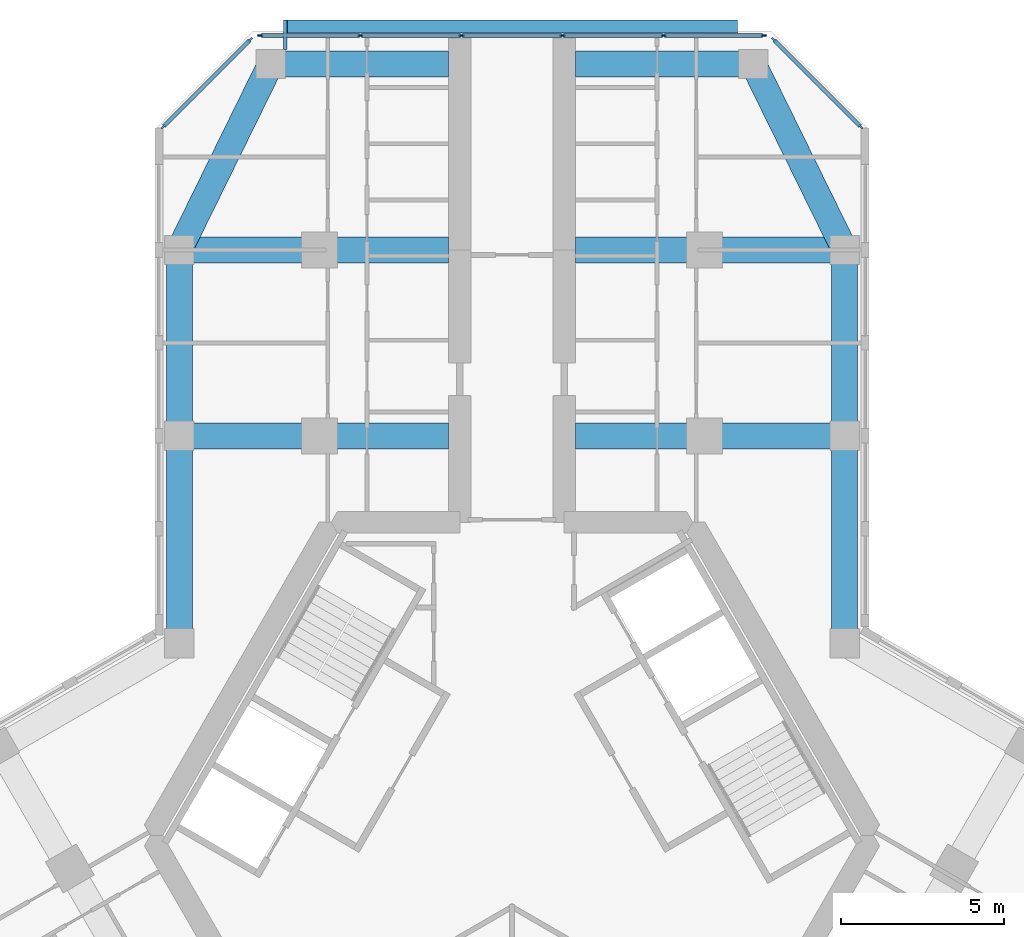
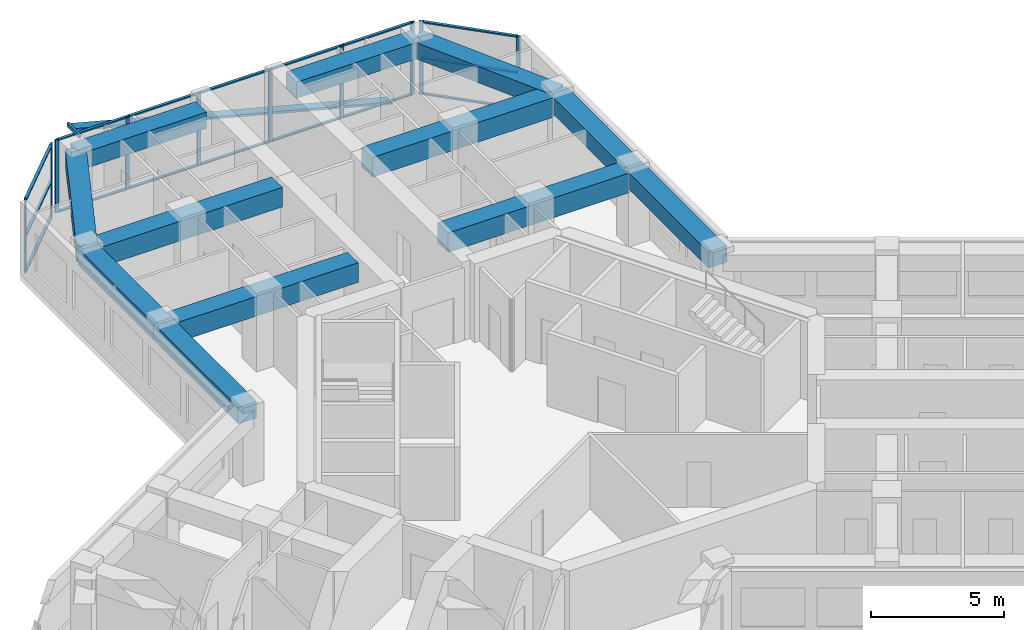
# One storey, part 6 of 16: 28 members, 12 beams, 3 elements without a shape of their own.
"""IFC4 building model written with IfcOpenShell, lengths in metres."""

from ifc_helpers import new_model, si_unit, direction, frame, origin, origin_2d, place, context, subcontext, project, spatial, rectangle, hollow_rectangle, extrude, material, material_profile, profile_set, type_object, element, aggregate, save


model = new_model("IFC4")

# Units and contexts
model_context = context("Model", 3, precision=1e-05, world=origin(), true_north=direction((0.0, 1.0)))
body_context = subcontext(model_context, "Body", "Model", "MODEL_VIEW")
ifc_project = project(units=[si_unit("LENGTHUNIT", "METRE"), si_unit("AREAUNIT", "SQUARE_METRE"), si_unit("VOLUMEUNIT", "CUBIC_METRE"), si_unit("PLANEANGLEUNIT", "RADIAN"), si_unit("MASSUNIT", "GRAM", prefix="KILO")], contexts=[model_context])

# Site, building, storey
site_placement = place(None, origin())
site = spatial("IfcSite", under=ifc_project, at=site_placement, CompositionType="ELEMENT")
building_placement = place(site_placement, origin())
building = spatial("IfcBuilding", under=site, at=building_placement, Name="Kosmar Iwan School Tower", CompositionType="ELEMENT")
storey_placement = place(building_placement, frame((0.0, 0.0, 208.199951171875)))
storey = spatial("IfcBuildingStorey", under=building, at=storey_placement, Name="L52", CompositionType="ELEMENT", Elevation=208.199951171875)

# Members
ifc_material_1 = material(Name="Black anodised aluminium", Category="aluminium")
ifc_material_profile_1 = material_profile(ifc_material_1, rectangle(XDim=0.10009765625, YDim=0.39990234375, at=origin_2d()), Name="FIN 100x400")
ifc_profile_set_1 = profile_set([ifc_material_profile_1], Name="Black anodised aluminium")
member_type_1 = type_object("IfcMemberType", Name="Diagonal fin 100x400", PredefinedType="USERDEFINED", material=ifc_profile_set_1)
member_1_placement = place(storey_placement, frame((6.898193359375, 24.800048828125, -0.14990234375), z_axis=(-0.967603633438, 0.0, 0.252474174041), x_axis=(0.252474174041, 0.0, 0.967603633438)))
element("IfcMember", 1, at=member_1_placement, inside=storey, type_object=member_type_1, Name="Diagonal fin L52-F06", ObjectType="FIN", PredefinedType="USERDEFINED", context=body_context, shape_type="SweptSolid", body=[
    extrude(rectangle(XDim=0.10009765625, YDim=0.39990234375, at=origin_2d()), origin(), (0.0, 0.0, 1.0), 14.25830078125),
])
ifc_material_2 = material(Name="Steel S355", Category="steel")
ifc_material_profile_2 = material_profile(ifc_material_2, hollow_rectangle(XDim=0.10009765625, YDim=0.199951171875, WallThickness=0.008056640625, at=origin_2d()), Name="RHS 200x100x8")
ifc_profile_set_2 = profile_set([ifc_material_profile_2], Name="Steel S355")
member_type_2 = type_object("IfcMemberType", Name="Fin bracket RHS 200x100", PredefinedType="USERDEFINED", material=ifc_profile_set_2)
member_2_placement = place(storey_placement, frame((-6.949951171875, 24.10009765625, 3.47509765625), z_axis=(0.0, 1.0, 0.0), x_axis=(-1.0, 0.0, 0.0)))
element("IfcMember", 2, at=member_2_placement, inside=storey, type_object=member_type_2, Name="Fin bracket L53", ObjectType="FIN BRACKET", PredefinedType="USERDEFINED", context=body_context, shape_type="SweptSolid", body=[
    extrude(hollow_rectangle(XDim=0.10009765625, YDim=0.199951171875, WallThickness=0.008056640625, at=origin_2d()), origin(), (0.0, 0.0, 1.0), 0.89990234375),
])

# Curtain wall, members
ifc_material_3 = material(Name="Dark glass in black aluminium frame", Category="aluminium")
curtain_wall_type_1 = type_object("IfcCurtainWallType", Name="Chamfer curtain wall dark glass", PredefinedType="USERDEFINED", material=ifc_material_3)
curtain_wall_1_placement = place(storey_placement, origin())
curtain_wall_1 = element("IfcCurtainWall", 3, at=curtain_wall_1_placement, inside=storey, type_object=curtain_wall_type_1, Name="Curtain wall L52-F05", ObjectType="FACETED CURTAIN WALL", PredefinedType="USERDEFINED")
ifc_material_4 = material(Name="Black anodised aluminium", Category="aluminium")
ifc_material_profile_3 = material_profile(ifc_material_4, rectangle(XDim=0.06005859375, YDim=0.159912109375, at=origin_2d()), Name="MULLION 60x160")
ifc_profile_set_3 = profile_set([ifc_material_profile_3], Name="Black anodised aluminium")
member_type_3 = type_object("IfcMemberType", Name="Mullion 60x160", PredefinedType="MULLION", material=ifc_profile_set_3)
member_3_placement = place(storey_placement, frame((10.69775390625, 21.7255859375, 0.0), z_axis=(0.0, 0.0, 1.0), x_axis=(-0.707106781187, -0.707106781187, 0.0)))
member_3 = element("IfcMember", 4, at=member_3_placement, type_object=member_type_3, Name="CW2 mullion 1", PredefinedType="MULLION", context=body_context, shape_type="SweptSolid", body=[
    extrude(rectangle(XDim=0.06005859375, YDim=0.159912109375, at=origin_2d()), origin(), (0.0, 0.0, 1.0), 3.35009765625),
])
member_4_placement = place(storey_placement, frame((8.025390625, 24.397705078125, 0.0), z_axis=(0.0, 0.0, 1.0), x_axis=(-0.707106781187, -0.707106781187, 0.0)))
member_4 = element("IfcMember", 5, at=member_4_placement, type_object=member_type_3, Name="CW2 mullion 2", PredefinedType="MULLION", context=body_context, shape_type="SweptSolid", body=[
    extrude(rectangle(XDim=0.06005859375, YDim=0.159912109375, at=origin_2d()), origin(), (0.0, 0.0, 1.0), 3.35009765625),
])

ifc_material_5 = material(Name="Dark glass in black aluminium frame", Category="aluminium")
curtain_wall_type_2 = type_object("IfcCurtainWallType", Name="Tower curtain wall dark glass", PredefinedType="USERDEFINED", material=ifc_material_5)
curtain_wall_2_placement = place(storey_placement, origin())
curtain_wall_2 = element("IfcCurtainWall", 6, at=curtain_wall_2_placement, inside=storey, type_object=curtain_wall_type_2, Name="Curtain wall L52-F06", ObjectType="UNITISED CURTAIN WALL", PredefinedType="USERDEFINED")
member_5_placement = place(storey_placement, frame((7.71826171875, 24.52490234375, 0.0), z_axis=(0.0, 0.0, 1.0), x_axis=(0.0, -1.0, 0.0)))
member_5 = element("IfcMember", 7, at=member_5_placement, type_object=member_type_3, Name="CW1 mullion 1", PredefinedType="MULLION", context=body_context, shape_type="SweptSolid", body=[
    extrude(rectangle(XDim=0.06005859375, YDim=0.159912109375, at=origin_2d()), origin(), (0.0, 0.0, 1.0), 3.35009765625),
])
member_6_placement = place(storey_placement, frame((4.64892578125, 24.52490234375, 0.0), z_axis=(0.0, 0.0, 1.0), x_axis=(0.0, -1.0, 0.0)))
member_6 = element("IfcMember", 8, at=member_6_placement, type_object=member_type_3, Name="CW1 mullion 2", PredefinedType="MULLION", context=body_context, shape_type="SweptSolid", body=[
    extrude(rectangle(XDim=0.06005859375, YDim=0.159912109375, at=origin_2d()), origin(), (0.0, 0.0, 1.0), 3.35009765625),
])
member_7_placement = place(storey_placement, frame((1.549560546875, 24.52490234375, 0.0), z_axis=(0.0, 0.0, 1.0), x_axis=(0.0, -1.0, 0.0)))
member_7 = element("IfcMember", 9, at=member_7_placement, type_object=member_type_3, Name="CW1 mullion 3", PredefinedType="MULLION", context=body_context, shape_type="SweptSolid", body=[
    extrude(rectangle(XDim=0.06005859375, YDim=0.159912109375, at=origin_2d()), origin(), (0.0, 0.0, 1.0), 3.35009765625),
])
member_8_placement = place(storey_placement, frame((-1.549560546875, 24.52490234375, 0.0), z_axis=(0.0, 0.0, 1.0), x_axis=(0.0, -1.0, 0.0)))
member_8 = element("IfcMember", 10, at=member_8_placement, type_object=member_type_3, Name="CW1 mullion 4", PredefinedType="MULLION", context=body_context, shape_type="SweptSolid", body=[
    extrude(rectangle(XDim=0.06005859375, YDim=0.159912109375, at=origin_2d()), origin(), (0.0, 0.0, 1.0), 3.35009765625),
])
member_9_placement = place(storey_placement, frame((-4.64892578125, 24.52490234375, 0.0), z_axis=(0.0, 0.0, 1.0), x_axis=(0.0, -1.0, 0.0)))
member_9 = element("IfcMember", 11, at=member_9_placement, type_object=member_type_3, Name="CW1 mullion 5", PredefinedType="MULLION", context=body_context, shape_type="SweptSolid", body=[
    extrude(rectangle(XDim=0.06005859375, YDim=0.159912109375, at=origin_2d()), origin(), (0.0, 0.0, 1.0), 3.35009765625),
])
member_10_placement = place(storey_placement, frame((-7.71826171875, 24.52490234375, 0.0), z_axis=(0.0, 0.0, 1.0), x_axis=(0.0, -1.0, 0.0)))
member_10 = element("IfcMember", 12, at=member_10_placement, type_object=member_type_3, Name="CW1 mullion 6", PredefinedType="MULLION", context=body_context, shape_type="SweptSolid", body=[
    extrude(rectangle(XDim=0.06005859375, YDim=0.159912109375, at=origin_2d()), origin(), (0.0, 0.0, 1.0), 3.35009765625),
])

curtain_wall_3_placement = place(storey_placement, origin())
curtain_wall_3 = element("IfcCurtainWall", 13, at=curtain_wall_3_placement, inside=storey, type_object=curtain_wall_type_1, Name="Curtain wall L52-F07", ObjectType="FACETED CURTAIN WALL", PredefinedType="USERDEFINED")
member_11_placement = place(storey_placement, frame((-8.025390625, 24.397705078125, 0.0), z_axis=(0.0, 0.0, 1.0), x_axis=(0.707106781187, -0.707106781187, 0.0)))
member_11 = element("IfcMember", 14, at=member_11_placement, type_object=member_type_3, Name="CW2 mullion 1", PredefinedType="MULLION", context=body_context, shape_type="SweptSolid", body=[
    extrude(rectangle(XDim=0.06005859375, YDim=0.159912109375, at=origin_2d()), origin(), (0.0, 0.0, 1.0), 3.35009765625),
])
member_12_placement = place(storey_placement, frame((-10.69775390625, 21.7255859375, 0.0), z_axis=(0.0, 0.0, 1.0), x_axis=(0.707106781187, -0.707106781187, 0.0)))
member_12 = element("IfcMember", 15, at=member_12_placement, type_object=member_type_3, Name="CW2 mullion 2", PredefinedType="MULLION", context=body_context, shape_type="SweptSolid", body=[
    extrude(rectangle(XDim=0.06005859375, YDim=0.159912109375, at=origin_2d()), origin(), (0.0, 0.0, 1.0), 3.35009765625),
])

# Beams
ifc_material_6 = material(Name="Concrete C50/60", Category="concrete")
ifc_material_profile_4 = material_profile(ifc_material_6, rectangle(XDim=0.800048828125, YDim=0.75, at=origin_2d()), Name="RC 800x750")
ifc_profile_set_4 = profile_set([ifc_material_profile_4], Name="Concrete C50/60")
beam_type_1 = type_object("IfcBeamType", Name="RC edge beam 800x750", PredefinedType="BEAM", material=ifc_profile_set_4)
beam_1_placement = place(storey_placement, frame((-10.199951171875, 5.888916015625, 2.97509765625), z_axis=(0.0, 1.0, 0.0), x_axis=(-1.0, 0.0, 0.0)))
element("IfcBeam", 16, at=beam_1_placement, inside=storey, type_object=beam_type_1, Name="Edge beam AL1", PredefinedType="BEAM", context=body_context, shape_type="SweptSolid", body=[
    extrude(rectangle(XDim=0.800048828125, YDim=0.75, at=origin_2d()), origin(), (0.0, 0.0, 1.0), 6.361083984375),
])
beam_2_placement = place(storey_placement, frame((-10.199951171875, 12.25, 2.97509765625), z_axis=(0.0, 1.0, 0.0), x_axis=(-1.0, 0.0, 0.0)))
element("IfcBeam", 17, at=beam_2_placement, inside=storey, type_object=beam_type_1, Name="Edge beam AL2", PredefinedType="BEAM", context=body_context, shape_type="SweptSolid", body=[
    extrude(rectangle(XDim=0.800048828125, YDim=0.75, at=origin_2d()), origin(), (0.0, 0.0, 1.0), 5.699951171875),
])
beam_3_placement = place(storey_placement, frame((10.199951171875, 5.888916015625, 2.97509765625), z_axis=(0.0, 1.0, 0.0), x_axis=(-1.0, 0.0, 0.0)))
element("IfcBeam", 18, at=beam_3_placement, inside=storey, type_object=beam_type_1, Name="Edge beam AR1", PredefinedType="BEAM", context=body_context, shape_type="SweptSolid", body=[
    extrude(rectangle(XDim=0.800048828125, YDim=0.75, at=origin_2d()), origin(), (0.0, 0.0, 1.0), 6.361083984375),
])
beam_4_placement = place(storey_placement, frame((10.199951171875, 12.25, 2.97509765625), z_axis=(0.0, 1.0, 0.0), x_axis=(-1.0, 0.0, 0.0)))
element("IfcBeam", 19, at=beam_4_placement, inside=storey, type_object=beam_type_1, Name="Edge beam AR2", PredefinedType="BEAM", context=body_context, shape_type="SweptSolid", body=[
    extrude(rectangle(XDim=0.800048828125, YDim=0.75, at=origin_2d()), origin(), (0.0, 0.0, 1.0), 5.699951171875),
])
ifc_material_7 = material(Name="Concrete C50/60", Category="concrete")
ifc_material_profile_5 = material_profile(ifc_material_7, rectangle(XDim=0.800048828125, YDim=0.75, at=origin_2d()), Name="RC 800x750")
ifc_profile_set_5 = profile_set([ifc_material_profile_5], Name="Concrete C50/60")
beam_type_2 = type_object("IfcBeamType", Name="RC tip beam 800x750", PredefinedType="BEAM", material=ifc_profile_set_5)
beam_5_placement = place(storey_placement, frame((-10.199951171875, 17.949951171875, 2.97509765625), z_axis=(0.440913116462, 0.897549788999, 0.0), x_axis=(-0.897549788999, 0.440913116462, 0.0)))
element("IfcBeam", 20, at=beam_5_placement, inside=storey, type_object=beam_type_2, Name="Tip beam AL", PredefinedType="BEAM", context=body_context, shape_type="SweptSolid", body=[
    extrude(rectangle(XDim=0.800048828125, YDim=0.75, at=origin_2d()), origin(), (0.0, 0.0, 1.0), 6.3505859375),
])
beam_6_placement = place(storey_placement, frame((-7.39990234375, 23.64990234375, 2.97509765625), z_axis=(1.0, 0.0, 0.0), x_axis=(0.0, 1.0, 0.0)))
element("IfcBeam", 21, at=beam_6_placement, inside=storey, type_object=beam_type_2, Name="Tip beam AL to corridor wall", PredefinedType="BEAM", context=body_context, shape_type="SweptSolid", body=[
    extrude(rectangle(XDim=0.800048828125, YDim=0.75, at=origin_2d()), origin(), (0.0, 0.0, 1.0), 5.449951171875),
])
beam_7_placement = place(storey_placement, frame((10.199951171875, 17.949951171875, 2.97509765625), z_axis=(-0.440913116462, 0.897549788999, 0.0), x_axis=(-0.897549788999, -0.440913116462, 0.0)))
element("IfcBeam", 22, at=beam_7_placement, inside=storey, type_object=beam_type_2, Name="Tip beam AR", PredefinedType="BEAM", context=body_context, shape_type="SweptSolid", body=[
    extrude(rectangle(XDim=0.800048828125, YDim=0.75, at=origin_2d()), origin(), (0.0, 0.0, 1.0), 6.3505859375),
])
beam_8_placement = place(storey_placement, frame((7.39990234375, 23.64990234375, 2.97509765625), z_axis=(-1.0, 0.0, 0.0), x_axis=(0.0, -1.0, 0.0)))
element("IfcBeam", 23, at=beam_8_placement, inside=storey, type_object=beam_type_2, Name="Tip beam AR to corridor wall", PredefinedType="BEAM", context=body_context, shape_type="SweptSolid", body=[
    extrude(rectangle(XDim=0.800048828125, YDim=0.75, at=origin_2d()), origin(), (0.0, 0.0, 1.0), 5.449951171875),
])
ifc_material_8 = material(Name="Concrete C50/60", Category="concrete")
ifc_material_profile_6 = material_profile(ifc_material_8, rectangle(XDim=0.800048828125, YDim=0.89990234375, at=origin_2d()), Name="RC 800x900")
ifc_profile_set_6 = profile_set([ifc_material_profile_6], Name="Concrete C50/60")
beam_type_3 = type_object("IfcBeamType", Name="RC transverse beam 800x900", PredefinedType="BEAM", material=ifc_profile_set_6)
for number, where, z_axis, x_axis, name in (
    (24, (-10.199951171875, 12.25, 2.900146484375), (1.0, 0.0, 0.0), (0.0, 1.0, 0.0), "Transverse beam AL1"),
    (25, (-10.199951171875, 17.949951171875, 2.900146484375), (1.0, 0.0, 0.0), (0.0, 1.0, 0.0), "Transverse beam AL2"),
    (26, (10.199951171875, 12.25, 2.900146484375), (-1.0, 0.0, 0.0), (0.0, -1.0, 0.0), "Transverse beam AR1"),
    (27, (10.199951171875, 17.949951171875, 2.900146484375), (-1.0, 0.0, 0.0), (0.0, -1.0, 0.0), "Transverse beam AR2"),
):
    element("IfcBeam", number, at=place(storey_placement, frame(where, z_axis=z_axis, x_axis=x_axis)), inside=storey, type_object=beam_type_3, Name=name, PredefinedType="BEAM", context=body_context, shape_type="SweptSolid", body=[
        extrude(rectangle(XDim=0.800048828125, YDim=0.89990234375, at=origin_2d()), origin(), (0.0, 0.0, 1.0), 8.25),
    ])

# Member
ifc_material_9 = material(Name="Black anodised aluminium", Category="aluminium")
ifc_material_profile_7 = material_profile(ifc_material_9, rectangle(XDim=0.1201171875, YDim=0.06005859375, at=origin_2d()), Name="TRANSOM 60x120")
ifc_profile_set_7 = profile_set([ifc_material_profile_7], Name="Black anodised aluminium")
member_type_4 = type_object("IfcMemberType", Name="Transom 60x120", PredefinedType="USERDEFINED", material=ifc_profile_set_7)
member_13_placement = place(storey_placement, frame((10.676513671875, 21.746826171875, 0.030029296875), z_axis=(-0.707139603466, 0.707073957383, 0.0), x_axis=(-0.707073957383, -0.707139603466, 0.0)))
member_13 = element("IfcMember", 28, at=member_13_placement, type_object=member_type_4, Name="CW2 transom 1.1", ObjectType="TRANSOM", PredefinedType="USERDEFINED", context=body_context, shape_type="SweptSolid", body=[
    extrude(rectangle(XDim=0.1201171875, YDim=0.06005859375, at=origin_2d()), origin(), (0.0, 0.0, 1.0), 3.718994140625),
])

member_14_placement = place(storey_placement, frame((10.676513671875, 21.746826171875, 1.675048828125), z_axis=(-0.707139603466, 0.707073957383, 0.0), x_axis=(-0.707073957383, -0.707139603466, 0.0)))
member_14 = element("IfcMember", 29, at=member_14_placement, type_object=member_type_4, Name="CW2 transom 1.2", ObjectType="TRANSOM", PredefinedType="USERDEFINED", context=body_context, shape_type="SweptSolid", body=[
    extrude(rectangle(XDim=0.1201171875, YDim=0.06005859375, at=origin_2d()), origin(), (0.0, 0.0, 1.0), 3.718994140625),
])

member_15_placement = place(storey_placement, frame((10.676513671875, 21.746826171875, 3.320068359375), z_axis=(-0.707139603466, 0.707073957383, 0.0), x_axis=(-0.707073957383, -0.707139603466, 0.0)))
member_15 = element("IfcMember", 30, at=member_15_placement, type_object=member_type_4, Name="CW2 transom 1.3", ObjectType="TRANSOM", PredefinedType="USERDEFINED", context=body_context, shape_type="SweptSolid", body=[
    extrude(rectangle(XDim=0.1201171875, YDim=0.06005859375, at=origin_2d()), origin(), (0.0, 0.0, 1.0), 3.718994140625),
])

aggregate(curtain_wall_1, [member_3, member_4, member_13, member_14, member_15])

member_16_placement = place(storey_placement, frame((7.688232421875, 24.52490234375, 0.030029296875), z_axis=(-1.0, 0.0, 0.0), x_axis=(0.0, -1.0, 0.0)))
member_16 = element("IfcMember", 31, at=member_16_placement, type_object=member_type_4, Name="CW1 transom 1.1", ObjectType="TRANSOM", PredefinedType="USERDEFINED", context=body_context, shape_type="SweptSolid", body=[
    extrude(rectangle(XDim=0.1201171875, YDim=0.06005859375, at=origin_2d()), origin(), (0.0, 0.0, 1.0), 3.00927734375),
])

member_17_placement = place(storey_placement, frame((7.688232421875, 24.52490234375, 3.320068359375), z_axis=(-1.0, 0.0, 0.0), x_axis=(0.0, -1.0, 0.0)))
member_17 = element("IfcMember", 32, at=member_17_placement, type_object=member_type_4, Name="CW1 transom 1.2", ObjectType="TRANSOM", PredefinedType="USERDEFINED", context=body_context, shape_type="SweptSolid", body=[
    extrude(rectangle(XDim=0.1201171875, YDim=0.06005859375, at=origin_2d()), origin(), (0.0, 0.0, 1.0), 3.00927734375),
])

member_18_placement = place(storey_placement, frame((4.618896484375, 24.52490234375, 0.030029296875), z_axis=(-1.0, 0.0, 0.0), x_axis=(0.0, -1.0, 0.0)))
member_18 = element("IfcMember", 33, at=member_18_placement, type_object=member_type_4, Name="CW1 transom 2.1", ObjectType="TRANSOM", PredefinedType="USERDEFINED", context=body_context, shape_type="SweptSolid", body=[
    extrude(rectangle(XDim=0.1201171875, YDim=0.06005859375, at=origin_2d()), origin(), (0.0, 0.0, 1.0), 3.039306640625),
])

member_19_placement = place(storey_placement, frame((4.618896484375, 24.52490234375, 3.320068359375), z_axis=(-1.0, 0.0, 0.0), x_axis=(0.0, -1.0, 0.0)))
member_19 = element("IfcMember", 34, at=member_19_placement, type_object=member_type_4, Name="CW1 transom 2.2", ObjectType="TRANSOM", PredefinedType="USERDEFINED", context=body_context, shape_type="SweptSolid", body=[
    extrude(rectangle(XDim=0.1201171875, YDim=0.06005859375, at=origin_2d()), origin(), (0.0, 0.0, 1.0), 3.039306640625),
])

member_20_placement = place(storey_placement, frame((1.51953125, 24.52490234375, 0.030029296875), z_axis=(-1.0, 0.0, 0.0), x_axis=(0.0, -1.0, 0.0)))
member_20 = element("IfcMember", 35, at=member_20_placement, type_object=member_type_4, Name="CW1 transom 3.1", ObjectType="TRANSOM", PredefinedType="USERDEFINED", context=body_context, shape_type="SweptSolid", body=[
    extrude(rectangle(XDim=0.1201171875, YDim=0.06005859375, at=origin_2d()), origin(), (0.0, 0.0, 1.0), 3.0390625),
])

member_21_placement = place(storey_placement, frame((1.51953125, 24.52490234375, 3.320068359375), z_axis=(-1.0, 0.0, 0.0), x_axis=(0.0, -1.0, 0.0)))
member_21 = element("IfcMember", 36, at=member_21_placement, type_object=member_type_4, Name="CW1 transom 3.2", ObjectType="TRANSOM", PredefinedType="USERDEFINED", context=body_context, shape_type="SweptSolid", body=[
    extrude(rectangle(XDim=0.1201171875, YDim=0.06005859375, at=origin_2d()), origin(), (0.0, 0.0, 1.0), 3.0390625),
])

member_22_placement = place(storey_placement, frame((-1.57958984375, 24.52490234375, 0.030029296875), z_axis=(-1.0, 0.0, 0.0), x_axis=(0.0, -1.0, 0.0)))
member_22 = element("IfcMember", 37, at=member_22_placement, type_object=member_type_4, Name="CW1 transom 4.1", ObjectType="TRANSOM", PredefinedType="USERDEFINED", context=body_context, shape_type="SweptSolid", body=[
    extrude(rectangle(XDim=0.1201171875, YDim=0.06005859375, at=origin_2d()), origin(), (0.0, 0.0, 1.0), 3.039306640625),
])

member_23_placement = place(storey_placement, frame((-1.57958984375, 24.52490234375, 3.320068359375), z_axis=(-1.0, 0.0, 0.0), x_axis=(0.0, -1.0, 0.0)))
member_23 = element("IfcMember", 38, at=member_23_placement, type_object=member_type_4, Name="CW1 transom 4.2", ObjectType="TRANSOM", PredefinedType="USERDEFINED", context=body_context, shape_type="SweptSolid", body=[
    extrude(rectangle(XDim=0.1201171875, YDim=0.06005859375, at=origin_2d()), origin(), (0.0, 0.0, 1.0), 3.039306640625),
])

member_24_placement = place(storey_placement, frame((-4.678955078125, 24.52490234375, 0.030029296875), z_axis=(-1.0, 0.0, 0.0), x_axis=(0.0, -1.0, 0.0)))
member_24 = element("IfcMember", 39, at=member_24_placement, type_object=member_type_4, Name="CW1 transom 5.1", ObjectType="TRANSOM", PredefinedType="USERDEFINED", context=body_context, shape_type="SweptSolid", body=[
    extrude(rectangle(XDim=0.1201171875, YDim=0.06005859375, at=origin_2d()), origin(), (0.0, 0.0, 1.0), 3.00927734375),
])

member_25_placement = place(storey_placement, frame((-4.678955078125, 24.52490234375, 3.320068359375), z_axis=(-1.0, 0.0, 0.0), x_axis=(0.0, -1.0, 0.0)))
member_25 = element("IfcMember", 40, at=member_25_placement, type_object=member_type_4, Name="CW1 transom 5.2", ObjectType="TRANSOM", PredefinedType="USERDEFINED", context=body_context, shape_type="SweptSolid", body=[
    extrude(rectangle(XDim=0.1201171875, YDim=0.06005859375, at=origin_2d()), origin(), (0.0, 0.0, 1.0), 3.00927734375),
])

aggregate(curtain_wall_2, [member_5, member_6, member_7, member_8, member_9, member_10, member_16, member_17, member_18, member_19, member_20, member_21, member_22, member_23, member_24, member_25])

member_26_placement = place(storey_placement, frame((-8.046630859375, 24.37646484375, 0.030029296875), z_axis=(-0.707139603466, -0.707073957383, 0.0), x_axis=(0.707073957383, -0.707139603466, 0.0)))
member_26 = element("IfcMember", 41, at=member_26_placement, type_object=member_type_4, Name="CW2 transom 1.1", ObjectType="TRANSOM", PredefinedType="USERDEFINED", context=body_context, shape_type="SweptSolid", body=[
    extrude(rectangle(XDim=0.1201171875, YDim=0.06005859375, at=origin_2d()), origin(), (0.0, 0.0, 1.0), 3.718994140625),
])

member_27_placement = place(storey_placement, frame((-8.046630859375, 24.37646484375, 1.675048828125), z_axis=(-0.707139603466, -0.707073957383, 0.0), x_axis=(0.707073957383, -0.707139603466, 0.0)))
member_27 = element("IfcMember", 42, at=member_27_placement, type_object=member_type_4, Name="CW2 transom 1.2", ObjectType="TRANSOM", PredefinedType="USERDEFINED", context=body_context, shape_type="SweptSolid", body=[
    extrude(rectangle(XDim=0.1201171875, YDim=0.06005859375, at=origin_2d()), origin(), (0.0, 0.0, 1.0), 3.718994140625),
])

member_28_placement = place(storey_placement, frame((-8.046630859375, 24.37646484375, 3.320068359375), z_axis=(-0.707139603466, -0.707073957383, 0.0), x_axis=(0.707073957383, -0.707139603466, 0.0)))
member_28 = element("IfcMember", 43, at=member_28_placement, type_object=member_type_4, Name="CW2 transom 1.3", ObjectType="TRANSOM", PredefinedType="USERDEFINED", context=body_context, shape_type="SweptSolid", body=[
    extrude(rectangle(XDim=0.1201171875, YDim=0.06005859375, at=origin_2d()), origin(), (0.0, 0.0, 1.0), 3.718994140625),
])

aggregate(curtain_wall_3, [member_11, member_12, member_26, member_27, member_28])

save(model, "model.ifc")
